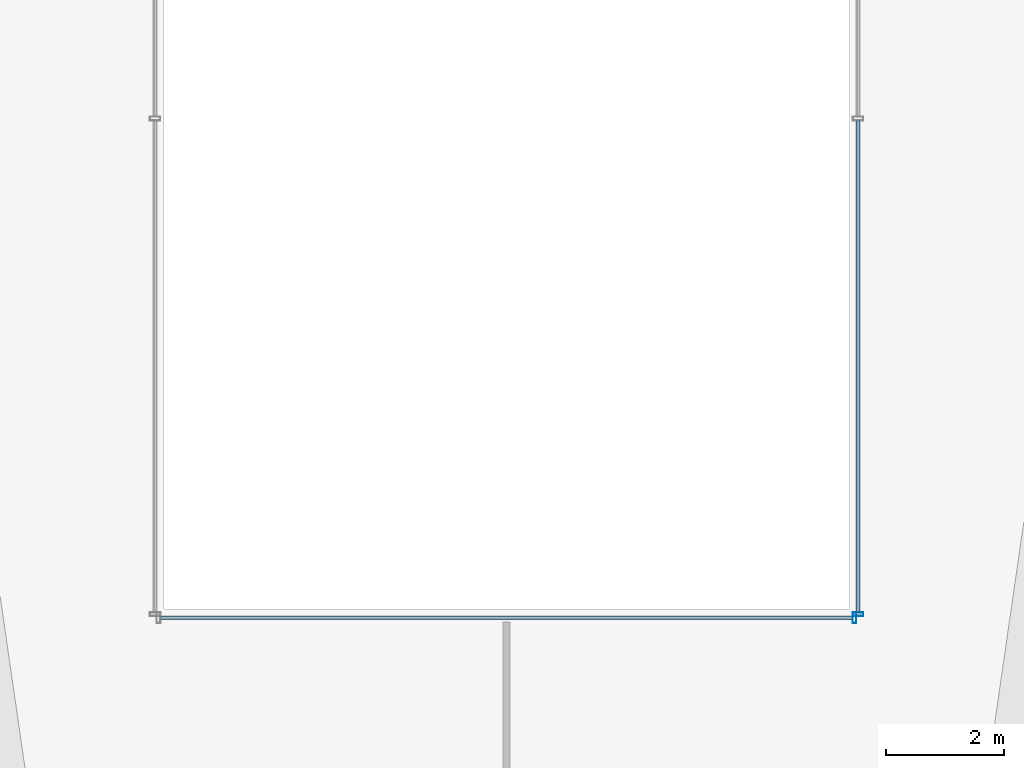
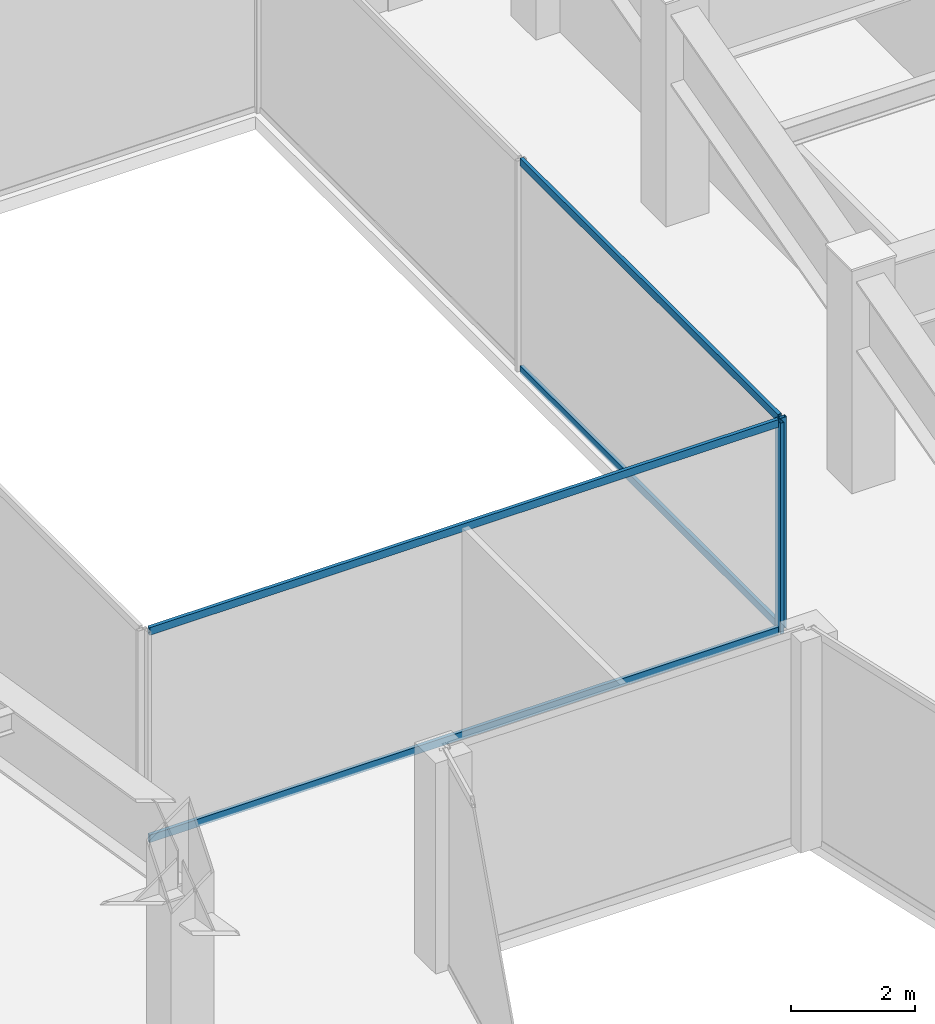
# One storey, part 13 of 40: 6 members, 2 elements without a shape of their own.
"""IFC4 building model written with IfcOpenShell, lengths in metres."""

from ifc_helpers import new_model, si_unit, direction, frame, origin, origin_2d, place, context, subcontext, project, spatial, hollow_rectangle, extrude, material, material_profile, profile_set, type_object, element, aggregate, save


model = new_model("IFC4")

# Units and contexts
model_context = context("Model", 3, precision=1e-05, world=origin(), true_north=direction((0.0, 1.0)))
body_context = subcontext(model_context, "Body", "Model", "MODEL_VIEW")
ifc_project = project(units=[si_unit("LENGTHUNIT", "METRE"), si_unit("AREAUNIT", "SQUARE_METRE"), si_unit("VOLUMEUNIT", "CUBIC_METRE"), si_unit("PLANEANGLEUNIT", "RADIAN"), si_unit("MASSUNIT", "GRAM", prefix="KILO")], contexts=[model_context])

# Site, building, storey
site_placement = place(None, origin())
site = spatial("IfcSite", under=ifc_project, at=site_placement, CompositionType="ELEMENT")
building_placement = place(site_placement, origin())
building = spatial("IfcBuilding", under=site, at=building_placement, Name="Saevonmaru Cultural Tower", CompositionType="ELEMENT")
storey_placement = place(building_placement, frame((0.0, 0.0, 97.199951171875)))
storey = spatial("IfcBuildingStorey", under=building, at=storey_placement, Name="L20", CompositionType="ELEMENT", Elevation=97.199951171875)

# Curtain wall, member
ifc_material = material(Name="Satin Bronze Anodised Aluminium", Category="aluminium")
curtain_wall_type = type_object("IfcCurtainWallType", Name="CW-ATR-GLZ", PredefinedType="NOTDEFINED", material=ifc_material)
curtain_wall_1_placement = place(storey_placement, origin())
curtain_wall_1 = element("IfcCurtainWall", 1, at=curtain_wall_1_placement, inside=storey, type_object=curtain_wall_type, Name="L20 Vertical Atrium Glazed Smoke Screen 1", PredefinedType="NOTDEFINED")
ifc_material_profile_1 = material_profile(ifc_material, hollow_rectangle(XDim=0.06494140625, YDim=0.179931640625, WallThickness=0.00390625, at=origin_2d()), Name="ALU-MULL-180x65x4")
ifc_profile_set_1 = profile_set([ifc_material_profile_1], Name="Satin Bronze Anodised Aluminium")
member_type_1 = type_object("IfcMemberType", Name="ML-CW-INT-180x65", PredefinedType="MULLION", material=ifc_profile_set_1)
member_1_placement = place(storey_placement, frame((35.889892578125, 20.85009765625, 0.0), z_axis=(0.0, 0.0, 1.0), x_axis=(1.0, 0.0, 0.0)))
member_1 = element("IfcMember", 2, at=member_1_placement, type_object=member_type_1, Name="CW-ATR-L20-1 mullion 2", PredefinedType="MULLION", context=body_context, shape_type="SweptSolid", body=[
    extrude(hollow_rectangle(XDim=0.06494140625, YDim=0.179931640625, WallThickness=0.00390625, at=origin_2d()), origin(), (0.0, 0.0, 1.0), 4.150146484375),
])

curtain_wall_2_placement = place(storey_placement, origin())
curtain_wall_2 = element("IfcCurtainWall", 3, at=curtain_wall_2_placement, inside=storey, type_object=curtain_wall_type, Name="L20 Vertical Atrium Glazed Smoke Screen 2", PredefinedType="NOTDEFINED")
member_2_placement = place(storey_placement, frame((35.949951171875, 20.909912109375, 0.0), z_axis=(0.0, 0.0, 1.0), x_axis=(0.0, 1.0, 0.0)))
member_2 = element("IfcMember", 4, at=member_2_placement, type_object=member_type_1, Name="CW-ATR-L20-2 mullion 1", PredefinedType="MULLION", context=body_context, shape_type="SweptSolid", body=[
    extrude(hollow_rectangle(XDim=0.06494140625, YDim=0.179931640625, WallThickness=0.00390625, at=origin_2d()), origin(), (0.0, 0.0, 1.0), 4.150146484375),
])

# Member
ifc_material_profile_2 = material_profile(ifc_material, hollow_rectangle(XDim=0.06494140625, YDim=0.14990234375, WallThickness=0.00390625, at=origin_2d()), Name="ALU-TRAN-150x65x4")
ifc_profile_set_2 = profile_set([ifc_material_profile_2], Name="Satin Bronze Anodised Aluminium")
member_type_2 = type_object("IfcMemberType", Name="TR-CW-INT-150x65", PredefinedType="USERDEFINED", material=ifc_profile_set_2)
member_3_placement = place(storey_placement, frame((24.142578125, 20.85009765625, 0.032470703125), z_axis=(1.0, 0.0, 0.0), x_axis=(0.0, 1.0, 0.0)))
member_3 = element("IfcMember", 5, at=member_3_placement, type_object=member_type_2, Name="CW-ATR-L20-1 transom 1.1", ObjectType="TRANSOM", PredefinedType="USERDEFINED", context=body_context, shape_type="SweptSolid", body=[
    extrude(hollow_rectangle(XDim=0.06494140625, YDim=0.14990234375, WallThickness=0.00390625, at=origin_2d()), origin(), (0.0, 0.0, 1.0), 11.71484375),
])

member_4_placement = place(storey_placement, frame((24.142578125, 20.85009765625, 4.117431640625), z_axis=(1.0, 0.0, 0.0), x_axis=(0.0, 1.0, 0.0)))
member_4 = element("IfcMember", 6, at=member_4_placement, type_object=member_type_2, Name="CW-ATR-L20-1 transom 1.2", ObjectType="TRANSOM", PredefinedType="USERDEFINED", context=body_context, shape_type="SweptSolid", body=[
    extrude(hollow_rectangle(XDim=0.06494140625, YDim=0.14990234375, WallThickness=0.00390625, at=origin_2d()), origin(), (0.0, 0.0, 1.0), 11.71484375),
])

aggregate(curtain_wall_1, [member_1, member_3, member_4])

member_5_placement = place(storey_placement, frame((35.949951171875, 20.9423828125, 0.032470703125), z_axis=(0.0, 1.0, 0.0), x_axis=(-1.0, 0.0, 0.0)))
member_5 = element("IfcMember", 7, at=member_5_placement, type_object=member_type_2, Name="CW-ATR-L20-2 transom 1.1", ObjectType="TRANSOM", PredefinedType="USERDEFINED", context=body_context, shape_type="SweptSolid", body=[
    extrude(hollow_rectangle(XDim=0.06494140625, YDim=0.14990234375, WallThickness=0.00390625, at=origin_2d()), origin(), (0.0, 0.0, 1.0), 8.3251953125),
])

member_6_placement = place(storey_placement, frame((35.949951171875, 20.9423828125, 4.117431640625), z_axis=(0.0, 1.0, 0.0), x_axis=(-1.0, 0.0, 0.0)))
member_6 = element("IfcMember", 8, at=member_6_placement, type_object=member_type_2, Name="CW-ATR-L20-2 transom 1.2", ObjectType="TRANSOM", PredefinedType="USERDEFINED", context=body_context, shape_type="SweptSolid", body=[
    extrude(hollow_rectangle(XDim=0.06494140625, YDim=0.14990234375, WallThickness=0.00390625, at=origin_2d()), origin(), (0.0, 0.0, 1.0), 8.3251953125),
])

aggregate(curtain_wall_2, [member_2, member_5, member_6])

save(model, "model.ifc")
